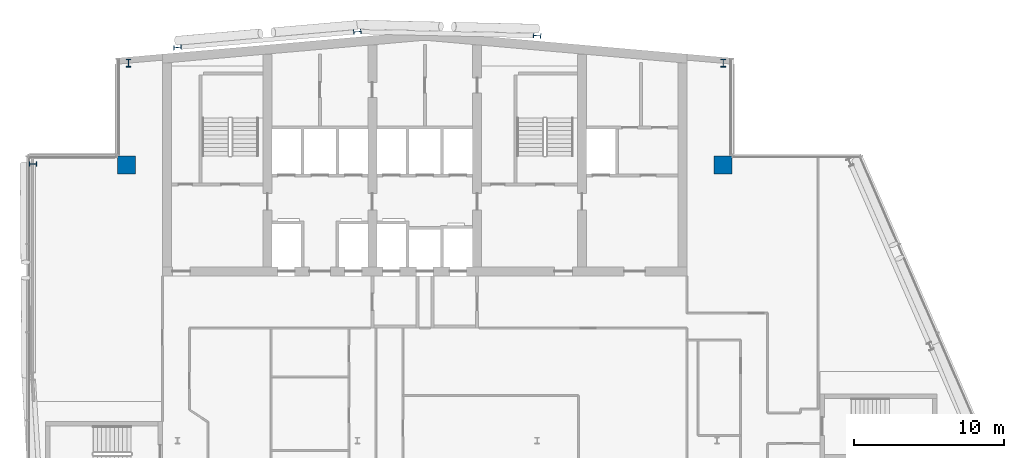
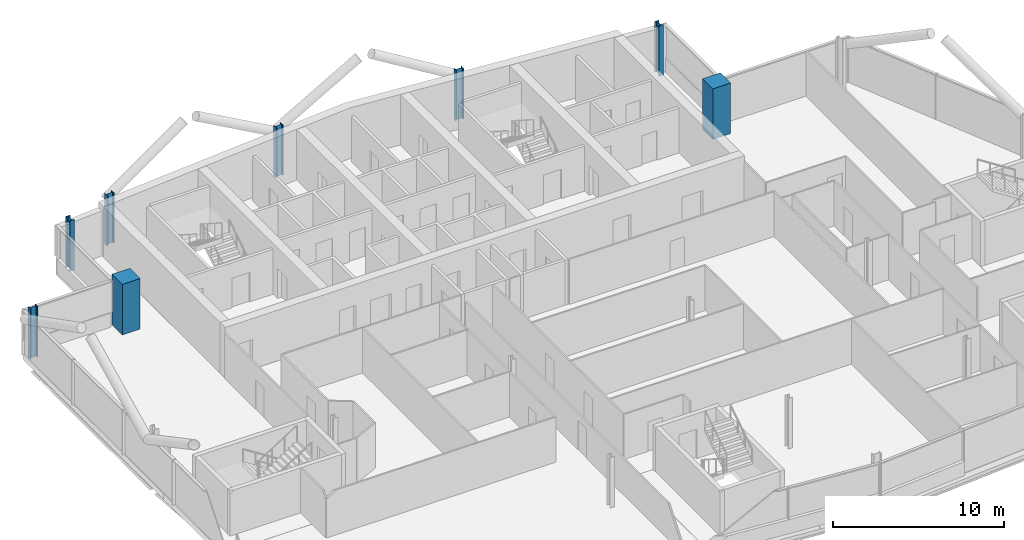
# One storey, part 3 of 25: 8 columns.
"""IFC4 building model written with IfcOpenShell, lengths in metres."""

from ifc_helpers import new_model, si_unit, direction, frame, origin, origin_2d, place, context, subcontext, project, spatial, rectangle, i_section, extrude, material, material_profile, profile_set, type_object, element, save


model = new_model("IFC4")

# Units and contexts
model_context = context("Model", 3, precision=1e-05, world=origin(), true_north=direction((0.0, 1.0)))
body_context = subcontext(model_context, "Body", "Model", "MODEL_VIEW")
ifc_project = project(units=[si_unit("LENGTHUNIT", "METRE"), si_unit("AREAUNIT", "SQUARE_METRE"), si_unit("VOLUMEUNIT", "CUBIC_METRE"), si_unit("PLANEANGLEUNIT", "RADIAN"), si_unit("MASSUNIT", "GRAM", prefix="KILO")], contexts=[model_context])

# Site, building, storey
site_placement = place(None, origin())
site = spatial("IfcSite", under=ifc_project, at=site_placement, CompositionType="ELEMENT")
building_placement = place(site_placement, origin())
building = spatial("IfcBuilding", under=site, at=building_placement, Name="Wharfspan Tower", CompositionType="ELEMENT")
storey_placement = place(building_placement, frame((0.0, 0.0, 225.100098)))
storey = spatial("IfcBuildingStorey", under=building, at=storey_placement, Name="L56", CompositionType="ELEMENT", Elevation=225.100098)

# Columns
ifc_material_1 = material(Name="Steel S355J2", Category="steel")
ifc_material_profile_1 = material_profile(ifc_material_1, i_section(OverallWidth=0.300049, OverallDepth=0.5, WebThickness=0.014404, FlangeThickness=0.028076, FilletRadius=0.0271, at=origin_2d()))
ifc_profile_set_1 = profile_set([ifc_material_profile_1], Name="Steel S355J2")
column_type_1 = type_object("IfcColumnType", Name="Column HEB 500", PredefinedType="COLUMN", material=ifc_profile_set_1)
for number, where, z_axis, x_axis, name in (
    (1, (24.0, 49.234863, 0.0), (0.0, 0.0, 1.0), (-0.087156, 0.996197, 0.0), "Rear column R.1 L56"),
    (2, (36.0, 50.284668, 0.0), (0.0, 0.0, 1.0), (-0.087156, 0.996197, 0.0), "Rear column R.2 L56"),
    (3, (48.0, 50.022217, 0.0), (0.0, 0.0, 1.0), (0.087156, 0.996197, 0.0), "Rear column R.3 L56"),
):
    element("IfcColumn", number, at=place(storey_placement, frame(where, z_axis=z_axis, x_axis=x_axis)), inside=storey, type_object=column_type_1, Name=name, PredefinedType="COLUMN", context=body_context, shape_type="SweptSolid", body=[
        extrude(i_section(OverallWidth=0.300049, OverallDepth=0.5, WebThickness=0.014404, FlangeThickness=0.028076, FilletRadius=0.0271, at=origin_2d()), origin(), (0.0, 0.0, 1.0), 3.599854),
    ])
ifc_material_profile_2 = material_profile(ifc_material_1, i_section(OverallWidth=0.305908, OverallDepth=0.523926, WebThickness=0.020996, FlangeThickness=0.040039, FilletRadius=0.0271, at=origin_2d()))
ifc_profile_set_2 = profile_set([ifc_material_profile_2], Name="Steel S355J2")
column_type_2 = type_object("IfcColumnType", Name="Column HEM 500", PredefinedType="COLUMN", material=ifc_profile_set_2)
for number, where, z_axis, x_axis, name in (
    (4, (60.422119, 48.189453, 0.0), (0.0, 0.0, 1.0), (1.0, 0.0, 0.0), "Perimeter column PNRE-V.1 L56"),
    (5, (20.731201, 48.189941, 0.0), (0.0, 0.0, 1.0), (-1.0, 0.0, 0.0), "Perimeter column PNRW-V.1 L56"),
    (6, (14.356934, 41.459717, 0.0), (0.0, 0.0, 1.0), (0.0, 1.0, 0.0), "Perimeter column PNRW-H.1 L56"),
):
    element("IfcColumn", number, at=place(storey_placement, frame(where, z_axis=z_axis, x_axis=x_axis)), inside=storey, type_object=column_type_2, Name=name, PredefinedType="COLUMN", context=body_context, shape_type="SweptSolid", body=[
        extrude(i_section(OverallWidth=0.305908, OverallDepth=0.523926, WebThickness=0.020996, FlangeThickness=0.040039, FilletRadius=0.0271, at=origin_2d()), origin(), (0.0, 0.0, 1.0), 3.599854),
    ])
ifc_material_2 = material(Name="Concrete C50/60", Category="concrete")
ifc_material_profile_3 = material_profile(ifc_material_2, rectangle(XDim=1.199951, YDim=1.199951, at=origin_2d()))
ifc_profile_set_3 = profile_set([ifc_material_profile_3], Name="Concrete C50/60")
column_type_3 = type_object("IfcColumnType", Name="Mega column 1200 C50/60", PredefinedType="COLUMN", material=ifc_profile_set_3)
for number, where, z_axis, x_axis, name in (
    (7, (20.600098, 41.399902, 0.0), (0.0, 0.0, 1.0), (1.0, 0.0, 0.0), "Mega column MC2 L56"),
    (8, (60.399902, 41.399902, 0.0), (0.0, 0.0, 1.0), (1.0, 0.0, 0.0), "Mega column MC3 L56"),
):
    element("IfcColumn", number, at=place(storey_placement, frame(where, z_axis=z_axis, x_axis=x_axis)), inside=storey, type_object=column_type_3, Name=name, PredefinedType="COLUMN", context=body_context, shape_type="SweptSolid", body=[
        extrude(rectangle(XDim=1.199951, YDim=1.199951, at=origin_2d()), origin(), (0.0, 0.0, 1.0), 3.599854),
    ])

save(model, "model.ifc")
